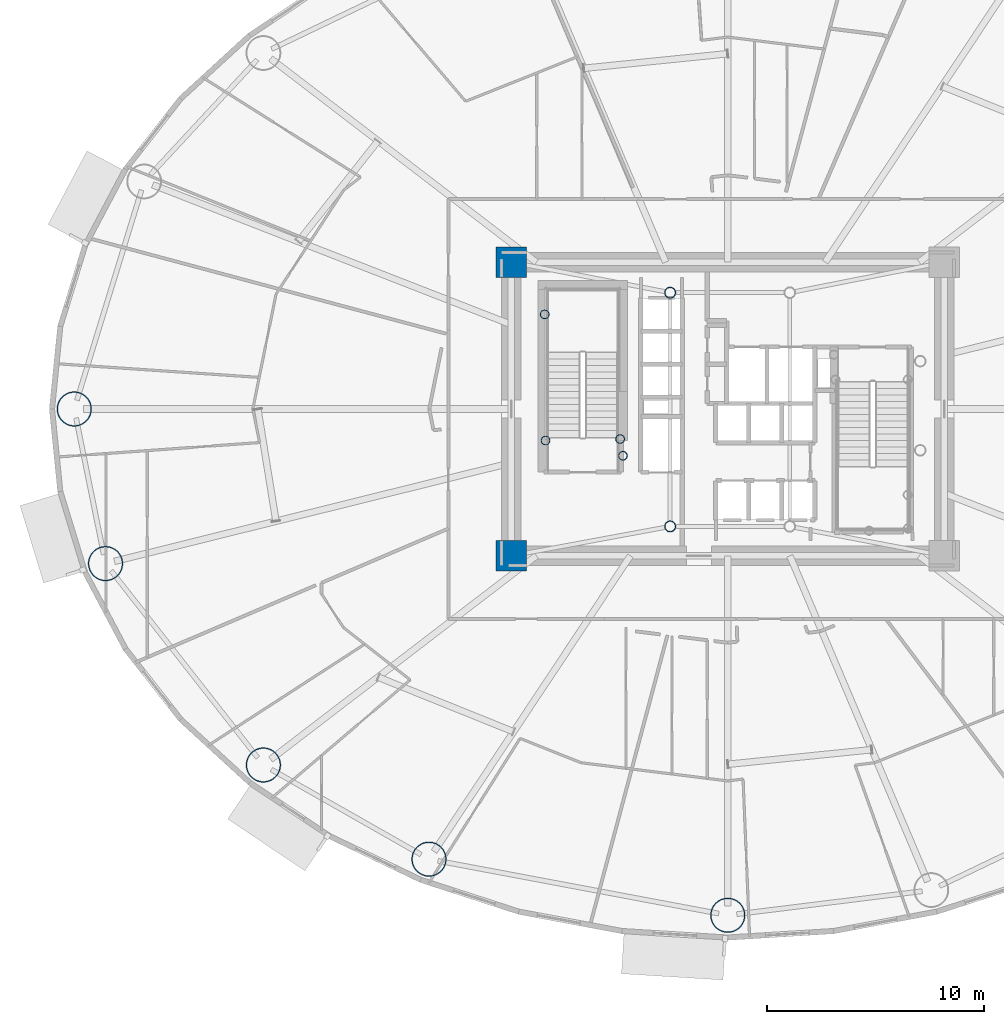
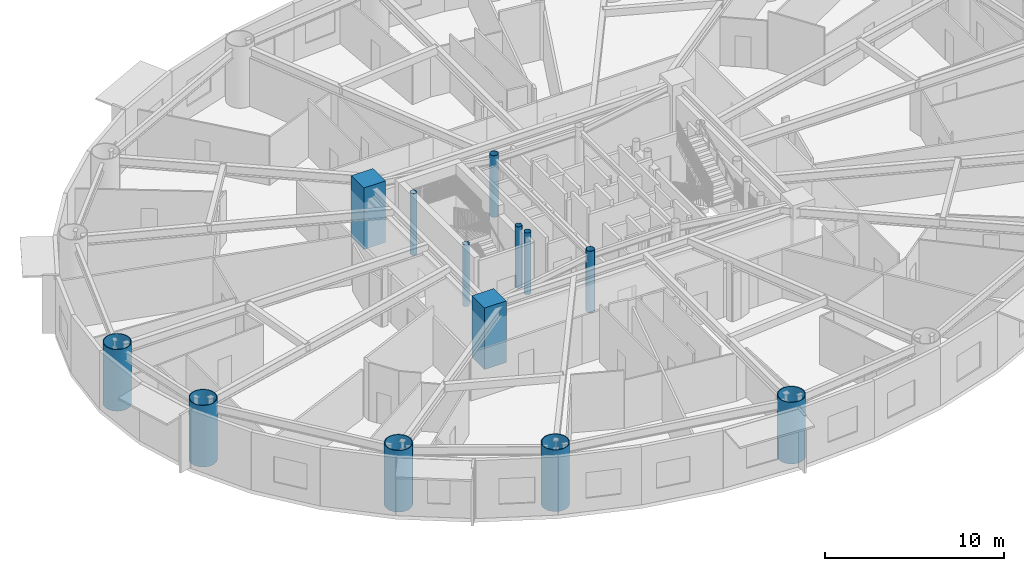
# One storey, part 1 of 24: 13 columns.
"""IFC4 building model written with IfcOpenShell, lengths in metres."""

from ifc_helpers import new_model, si_unit, direction, frame, origin, origin_2d, place, context, subcontext, project, spatial, rectangle, hollow_circle, extrude, material, material_profile, profile_set, type_object, element, save


model = new_model("IFC4")

# Units and contexts
model_context = context("Model", 3, precision=1e-05, world=origin(), true_north=direction((0.0, 1.0)))
body_context = subcontext(model_context, "Body", "Model", "MODEL_VIEW")
ifc_project = project(units=[si_unit("LENGTHUNIT", "METRE"), si_unit("AREAUNIT", "SQUARE_METRE"), si_unit("VOLUMEUNIT", "CUBIC_METRE"), si_unit("PLANEANGLEUNIT", "RADIAN"), si_unit("MASSUNIT", "GRAM", prefix="KILO")], contexts=[model_context])

# Site, building, storey
site_placement = place(None, origin())
site = spatial("IfcSite", under=ifc_project, at=site_placement, CompositionType="ELEMENT")
building_placement = place(site_placement, origin())
building = spatial("IfcBuilding", under=site, at=building_placement, Name="Linh Dai School and Residence Tower", CompositionType="ELEMENT")
storey_placement = place(building_placement, frame((0.0, 0.0, 70.199951171875)))
storey = spatial("IfcBuildingStorey", under=building, at=storey_placement, Name="L16", CompositionType="ELEMENT", Elevation=70.199951171875)

# Columns
ifc_material_1 = material(Name="Concrete B60 (C50/60)", Category="concrete")
ifc_material_profile_1 = material_profile(ifc_material_1, rectangle(XDim=1.39990234375, YDim=1.39990234375, at=origin_2d()), Name="RC 1400x1400")
ifc_profile_set_1 = profile_set([ifc_material_profile_1], Name="Concrete B60 (C50/60)")
column_type_1 = type_object("IfcColumnType", Name="COL-CC1", PredefinedType="COLUMN", material=ifc_profile_set_1)
for number, where, z_axis, x_axis, name in (
    (1, (26.050048828125, 20.25, 0.0), (0.0, 0.0, 1.0), (1.0, 0.0, 0.0), "L16 Core Corner Pier CC1"),
    (2, (26.050048828125, 33.75, 0.0), (0.0, 0.0, 1.0), (1.0, 0.0, 0.0), "L16 Core Corner Pier CC4"),
):
    element("IfcColumn", number, at=place(storey_placement, frame(where, z_axis=z_axis, x_axis=x_axis)), inside=storey, type_object=column_type_1, Name=name, PredefinedType="COLUMN", context=body_context, shape_type="SweptSolid", body=[
        extrude(rectangle(XDim=1.39990234375, YDim=1.39990234375, at=origin_2d()), origin(), (0.0, 0.0, 1.0), 4.199951171875),
    ])
ifc_material_2 = material(Name="Structural Steel S355JR", Category="steel")
ifc_material_profile_2 = material_profile(ifc_material_2, hollow_circle(Radius=0.203125, WallThickness=0.01611328125, at=origin_2d()), Name="CHS 406.4x16")
ifc_profile_set_2 = profile_set([ifc_material_profile_2], Name="Structural Steel S355JR")
column_type_2 = type_object("IfcColumnType", Name="COL-EC", PredefinedType="COLUMN", material=ifc_profile_set_2)
for number, where, z_axis, x_axis, name in (
    (3, (27.580078125, 31.35009765625, 0.0), (0.0, 0.0, 1.0), (1.0, 0.0, 0.0), "L16 Stair Shaft Landing Support Pier ST1NW"),
    (4, (31.050048828125, 25.6201171875, 0.0), (0.0, 0.0, 1.0), (1.0, 0.0, 0.0), "L16 Stair Shaft Landing Support Pier ST1SE"),
    (5, (31.179931640625, 24.85009765625, 0.0), (0.0, 0.0, 1.0), (1.0, 0.0, 0.0), "L16 Stair Shaft Landing Support Pier ST1SM"),
    (6, (27.6201171875, 25.550048828125, 0.0), (0.0, 0.0, 1.0), (1.0, 0.0, 0.0), "L16 Stair Shaft Landing Support Pier ST1SW"),
):
    element("IfcColumn", number, at=place(storey_placement, frame(where, z_axis=z_axis, x_axis=x_axis)), inside=storey, type_object=column_type_2, Name=name, PredefinedType="COLUMN", context=body_context, shape_type="SweptSolid", body=[
        extrude(hollow_circle(Radius=0.203125, WallThickness=0.01611328125, at=origin_2d()), origin(), (0.0, 0.0, 1.0), 4.199951171875),
    ])
ifc_material_profile_3 = material_profile(ifc_material_2, hollow_circle(Radius=0.800048828125, WallThickness=0.044921875, at=origin_2d()), Name="CHS 1600x45")
ifc_profile_set_3 = profile_set([ifc_material_profile_3], Name="Structural Steel S355JR")
column_type_3 = type_object("IfcColumnType", Name="COL-MC2", PredefinedType="COLUMN", material=ifc_profile_set_3)
for number, where, z_axis, x_axis, name in (
    (7, (5.949951171875, 27.0, 0.0), (0.0, 0.0, 1.0), (1.0, 0.0, 0.0), "L16 Perimeter CFT Mega-Column MC09"),
    (8, (7.38916015625, 19.891357421875, 0.0), (0.0, 0.0, 1.0), (1.0, 0.0, 0.0), "L16 Perimeter CFT Mega-Column MC10"),
    (9, (14.647216796875, 10.630859375, 0.0), (0.0, 0.0, 1.0), (1.0, 0.0, 0.0), "L16 Perimeter CFT Mega-Column MC11"),
    (10, (22.26171875, 6.30078125, 0.0), (0.0, 0.0, 1.0), (1.0, 0.0, 0.0), "L16 Perimeter CFT Mega-Column MC12"),
    (11, (36.0, 3.719970703125, 0.0), (0.0, 0.0, 1.0), (1.0, 0.0, 0.0), "L16 Perimeter CFT Mega-Column MC13"),
):
    element("IfcColumn", number, at=place(storey_placement, frame(where, z_axis=z_axis, x_axis=x_axis)), inside=storey, type_object=column_type_3, Name=name, PredefinedType="COLUMN", context=body_context, shape_type="SweptSolid", body=[
        extrude(hollow_circle(Radius=0.800048828125, WallThickness=0.044921875, at=origin_2d()), origin(), (0.0, 0.0, 1.0), 4.199951171875),
    ])
ifc_material_profile_4 = material_profile(ifc_material_2, hollow_circle(Radius=0.25390625, WallThickness=0.02001953125, at=origin_2d()), Name="CHS 508x20")
ifc_profile_set_4 = profile_set([ifc_material_profile_4], Name="Structural Steel S355JR")
column_type_4 = type_object("IfcColumnType", Name="COL-MCP", PredefinedType="COLUMN", material=ifc_profile_set_4)
for number, where, z_axis, x_axis, name in (
    (12, (33.35009765625, 21.60009765625, 0.0), (0.0, 0.0, 1.0), (1.0, 0.0, 0.0), "L16 Core Mast Support Pier MCP1"),
    (13, (33.35009765625, 32.35009765625, 0.0), (0.0, 0.0, 1.0), (1.0, 0.0, 0.0), "L16 Core Mast Support Pier MCP4"),
):
    element("IfcColumn", number, at=place(storey_placement, frame(where, z_axis=z_axis, x_axis=x_axis)), inside=storey, type_object=column_type_4, Name=name, PredefinedType="COLUMN", context=body_context, shape_type="SweptSolid", body=[
        extrude(hollow_circle(Radius=0.25390625, WallThickness=0.02001953125, at=origin_2d()), origin(), (0.0, 0.0, 1.0), 4.199951171875),
    ])

save(model, "model.ifc")
